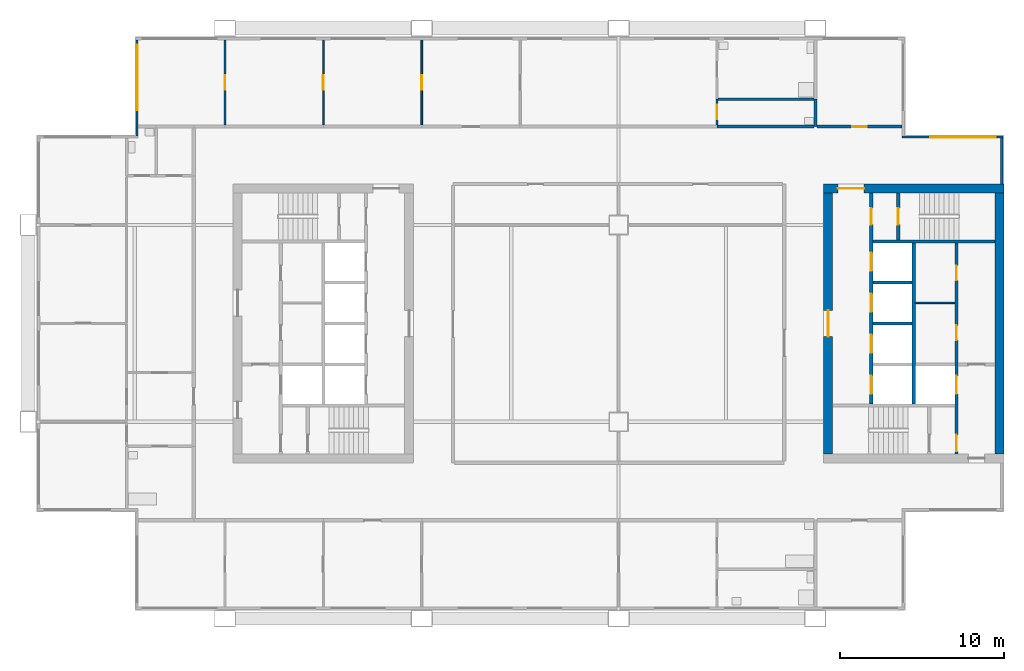
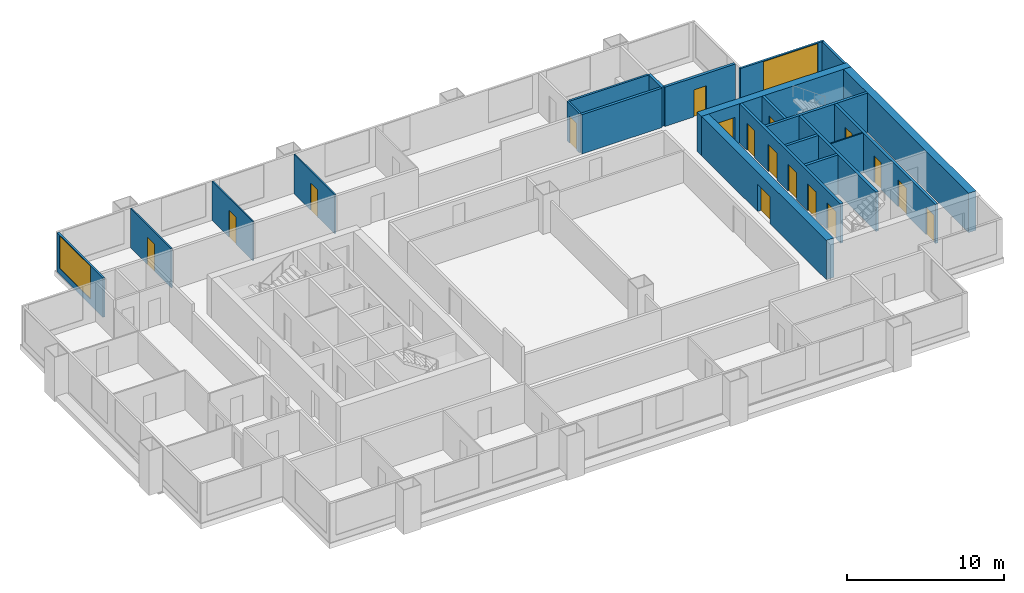
# One storey, part 5 of 8: 22 walls, 17 doors, 2 windows, 19 openings.
"""IFC4 building model written with IfcOpenShell, lengths in metres."""

from ifc_helpers import new_model, si_unit, direction, frame, frame_2d, origin, place, context, subcontext, project, spatial, rectangle, extrude, material, layer, layer_set, type_object, element, fill, save


model = new_model("IFC4")

# Units and contexts
model_context = context("Model", 3, precision=1e-05, world=origin(), true_north=direction((0.0, 1.0)))
body_context = subcontext(model_context, "Body", "Model", "MODEL_VIEW")
ifc_project = project(units=[si_unit("LENGTHUNIT", "METRE"), si_unit("AREAUNIT", "SQUARE_METRE"), si_unit("VOLUMEUNIT", "CUBIC_METRE"), si_unit("PLANEANGLEUNIT", "RADIAN"), si_unit("MASSUNIT", "GRAM", prefix="KILO")], contexts=[model_context])

# Site, building, storey
site_placement = place(None, origin())
site = spatial("IfcSite", under=ifc_project, at=site_placement, CompositionType="ELEMENT")
building_placement = place(site_placement, origin())
building = spatial("IfcBuilding", under=site, at=building_placement, Name="Kitamizu Gate Tower and Museum", CompositionType="ELEMENT")
storey_placement = place(building_placement, frame((0.0, 0.0, 172.050048828125)))
storey = spatial("IfcBuildingStorey", under=building, at=storey_placement, Name="L45", CompositionType="ELEMENT", Elevation=172.050048828125)

# Wall, opening, door
ifc_material_1 = material(Name="Concrete Fc42", Category="concrete")
ifc_layer_1 = layer(ifc_material_1, 0.550048828125)
ifc_layer_set_1 = layer_set([ifc_layer_1], Name="Concrete Fc42")
wall_type_1 = type_object("IfcWallType", Name="Core wall 550", PredefinedType="SHEAR", material=ifc_layer_set_1)
wall_1_placement = place(storey_placement, frame((59.5, 38.22509765625, 0.0), z_axis=(0.0, 0.0, 1.0), x_axis=(-1.0, 0.0, 0.0)))
wall_1 = element("IfcWall", 1, at=wall_1_placement, inside=storey, type_object=wall_type_1, Name="Core wall EN", PredefinedType="SHEAR", context=body_context, shape_type="SweptSolid", body=[
    extrude(rectangle(XDim=11.0, YDim=0.550048828125, at=frame_2d((5.5, 0.0))), origin(), (0.0, 0.0, 1.0), 3.050048828125),
])
opening_1_placement = place(wall_1_placement, frame((8.52490234375, 0.0, 0.0)))
opening_1 = element("IfcOpeningElement", 2, at=opening_1_placement, cuts=wall_1, Name="Opening L45-047", PredefinedType="OPENING", context=body_context, shape_type="SweptSolid", body=[
    extrude(rectangle(XDim=1.60009765625, YDim=2.10009765625, at=frame_2d((0.800048828125, 1.050048828125))), frame((0.0, 0.28515625, 0.0), z_axis=(0.0, -1.0, 0.0), x_axis=(1.0, 0.0, 0.0)), (0.0, 0.0, 1.0), 0.570068359375),
])
ifc_material_2 = material(Name="Timber door set", Category="wood")
door_type_1 = type_object("IfcDoorType", Name="Entrance door 1600", OperationType="DOUBLE_DOOR_SINGLE_SWING", PredefinedType="DOOR", material=ifc_material_2)
door_1_placement = place(opening_1_placement, origin())
door_1 = element("IfcDoor", 3, at=door_1_placement, inside=storey, type_object=door_type_1, Name="Lobby door L45-047", OperationType="DOUBLE_DOOR_SINGLE_SWING", OverallHeight=2.10009765625, OverallWidth=1.60009765625, PredefinedType="DOOR", context=body_context, shape_type="SweptSolid", body=[
    extrude(rectangle(XDim=1.60009765625, YDim=2.10009765625, at=frame_2d((0.800048828125, 1.050048828125))), frame((0.0, 0.02490234375, 0.0), z_axis=(0.0, -1.0, 0.0), x_axis=(1.0, 0.0, 0.0)), (0.0, 0.0, 1.0), 0.050048828125),
])
fill(opening_1, door_1)

# Wall
wall_2_placement = place(storey_placement, frame((59.22509765625, 22.050048828125, 0.0), z_axis=(0.0, 0.0, 1.0), x_axis=(0.0, 1.0, 0.0)))
element("IfcWall", 4, at=wall_2_placement, inside=storey, type_object=wall_type_1, Name="Core wall EOUT", PredefinedType="SHEAR", context=body_context, shape_type="SweptSolid", body=[
    extrude(rectangle(XDim=15.89990234375, YDim=0.550048828125, at=frame_2d((7.949951171875, 0.0))), origin(), (0.0, 0.0, 1.0), 3.050048828125),
])

# Wall, opening, door
wall_3_placement = place(storey_placement, frame((48.77490234375, 22.050048828125, 0.0), z_axis=(0.0, 0.0, 1.0), x_axis=(0.0, 1.0, 0.0)))
wall_3 = element("IfcWall", 5, at=wall_3_placement, inside=storey, type_object=wall_type_1, Name="Core wall EARC", PredefinedType="SHEAR", context=body_context, shape_type="SweptSolid", body=[
    extrude(rectangle(XDim=15.89990234375, YDim=0.550048828125, at=frame_2d((7.949951171875, 0.0))), origin(), (0.0, 0.0, 1.0), 3.050048828125),
])
opening_2_placement = place(wall_3_placement, frame((7.14990234375, 0.0, 0.0)))
opening_2 = element("IfcOpeningElement", 6, at=opening_2_placement, cuts=wall_3, Name="Opening L45-048", PredefinedType="OPENING", context=body_context, shape_type="SweptSolid", body=[
    extrude(rectangle(XDim=1.60009765625, YDim=2.10009765625, at=frame_2d((0.800048828125, 1.050048828125))), frame((0.0, 0.28515625, 0.0), z_axis=(0.0, -1.0, 0.0), x_axis=(1.0, 0.0, 0.0)), (0.0, 0.0, 1.0), 0.570068359375),
])
door_2_placement = place(opening_2_placement, origin())
door_2 = element("IfcDoor", 7, at=door_2_placement, inside=storey, type_object=door_type_1, Name="Lobby door L45-048", OperationType="DOUBLE_DOOR_SINGLE_SWING", OverallHeight=2.10009765625, OverallWidth=1.60009765625, PredefinedType="DOOR", context=body_context, shape_type="SweptSolid", body=[
    extrude(rectangle(XDim=1.60009765625, YDim=2.10009765625, at=frame_2d((0.800048828125, 1.050048828125))), frame((0.0, 0.02490234375, 0.0), z_axis=(0.0, -1.0, 0.0), x_axis=(1.0, 0.0, 0.0)), (0.0, 0.0, 1.0), 0.050048828125),
])
fill(opening_2, door_2)

# Wall
ifc_material_3 = material(Name="Gypsum board on galvanised stud")
ifc_layer_2 = layer(ifc_material_3, 0.10009765625)
ifc_layer_set_2 = layer_set([ifc_layer_2], Name="Gypsum board on galvanised stud")
wall_type_2 = type_object("IfcWallType", Name="Partition 100", PredefinedType="PARTITIONING", material=ifc_layer_set_2)
wall_4_placement = place(storey_placement, frame((56.5, 31.25, 0.0), z_axis=(0.0, 0.0, 1.0), x_axis=(-1.0, 0.0, 0.0)))
element("IfcWall", 8, at=wall_4_placement, inside=storey, type_object=wall_type_2, Name="Partition EPF1", PredefinedType="PARTITIONING", context=body_context, shape_type="SweptSolid", body=[
    extrude(rectangle(XDim=2.39990234375, YDim=0.10009765625, at=frame_2d((1.199951171875, 0.0))), origin(), (0.0, 0.0, 1.0), 3.050048828125),
])

# Wall, opening, door
ifc_material_4 = material(Name="Gypsum board on galvanised stud")
ifc_layer_3 = layer(ifc_material_4, 0.10009765625)
ifc_layer_set_3 = layer_set([ifc_layer_3], Name="Gypsum board on galvanised stud")
wall_type_3 = type_object("IfcWallType", Name="Partition 100 NOT RATED", PredefinedType="PARTITIONING", material=ifc_layer_set_3)
wall_5_placement = place(storey_placement, frame((12.0, 42.10009765625, 0.0), z_axis=(0.0, 0.0, 1.0), x_axis=(0.0, 1.0, 0.0)))
wall_5 = element("IfcWall", 9, at=wall_5_placement, inside=storey, type_object=wall_type_3, Name="Partition L45-018", PredefinedType="PARTITIONING", context=body_context, shape_type="SweptSolid", body=[
    extrude(rectangle(XDim=5.179931640625, YDim=0.10009765625, at=frame_2d((2.58984375, 0.0))), origin(), (0.0, 0.0, 1.0), 3.050048828125),
])
opening_3_placement = place(wall_5_placement, frame((2.139892578125, 0.0, 0.0)))
opening_3 = element("IfcOpeningElement", 10, at=opening_3_placement, cuts=wall_5, Name="Opening L45-014", PredefinedType="OPENING", context=body_context, shape_type="SweptSolid", body=[
    extrude(rectangle(XDim=0.89990234375, YDim=2.10009765625, at=frame_2d((0.449951171875, 1.050048828125))), frame((0.0, 0.06005859375, 0.0), z_axis=(0.0, -1.0, 0.0), x_axis=(1.0, 0.0, 0.0)), (0.0, 0.0, 1.0), 0.1201171875),
])
ifc_material_5 = material(Name="Timber door set", Category="wood")
door_type_2 = type_object("IfcDoorType", Name="Room door 900", OperationType="NOTDEFINED", PredefinedType="DOOR", material=ifc_material_5)
door_3_placement = place(opening_3_placement, origin())
door_3 = element("IfcDoor", 11, at=door_3_placement, inside=storey, type_object=door_type_2, Name="Door L45-014", OperationType="SINGLE_SWING_LEFT", OverallHeight=2.10009765625, OverallWidth=0.89990234375, PredefinedType="DOOR", context=body_context, shape_type="SweptSolid", body=[
    extrude(rectangle(XDim=0.89990234375, YDim=2.10009765625, at=frame_2d((0.449951171875, 1.050048828125))), frame((0.0, 0.02490234375, 0.0), z_axis=(0.0, -1.0, 0.0), x_axis=(1.0, 0.0, 0.0)), (0.0, 0.0, 1.0), 0.050048828125),
])
fill(opening_3, door_3)

wall_6_placement = place(storey_placement, frame((18.0, 42.10009765625, 0.0), z_axis=(0.0, 0.0, 1.0), x_axis=(0.0, 1.0, 0.0)))
wall_6 = element("IfcWall", 12, at=wall_6_placement, inside=storey, type_object=wall_type_3, Name="Partition L45-022", PredefinedType="PARTITIONING", context=body_context, shape_type="SweptSolid", body=[
    extrude(rectangle(XDim=5.179931640625, YDim=0.10009765625, at=frame_2d((2.58984375, 0.0))), origin(), (0.0, 0.0, 1.0), 3.050048828125),
])
opening_4_placement = place(wall_6_placement, frame((2.139892578125, 0.0, 0.0)))
opening_4 = element("IfcOpeningElement", 13, at=opening_4_placement, cuts=wall_6, Name="Opening L45-013", PredefinedType="OPENING", context=body_context, shape_type="SweptSolid", body=[
    extrude(rectangle(XDim=0.89990234375, YDim=2.10009765625, at=frame_2d((0.449951171875, 1.050048828125))), frame((0.0, 0.06005859375, 0.0), z_axis=(0.0, -1.0, 0.0), x_axis=(1.0, 0.0, 0.0)), (0.0, 0.0, 1.0), 0.1201171875),
])
door_4_placement = place(opening_4_placement, origin())
door_4 = element("IfcDoor", 14, at=door_4_placement, inside=storey, type_object=door_type_2, Name="Door L45-013", OperationType="SINGLE_SWING_RIGHT", OverallHeight=2.10009765625, OverallWidth=0.89990234375, PredefinedType="DOOR", context=body_context, shape_type="SweptSolid", body=[
    extrude(rectangle(XDim=0.89990234375, YDim=2.10009765625, at=frame_2d((0.449951171875, 1.050048828125))), frame((0.0, 0.02490234375, 0.0), z_axis=(0.0, -1.0, 0.0), x_axis=(1.0, 0.0, 0.0)), (0.0, 0.0, 1.0), 0.050048828125),
])
fill(opening_4, door_4)

wall_7_placement = place(storey_placement, frame((24.0, 42.10009765625, 0.0), z_axis=(0.0, 0.0, 1.0), x_axis=(0.0, 1.0, 0.0)))
wall_7 = element("IfcWall", 15, at=wall_7_placement, inside=storey, type_object=wall_type_3, Name="Partition L45-024", PredefinedType="PARTITIONING", context=body_context, shape_type="SweptSolid", body=[
    extrude(rectangle(XDim=5.179931640625, YDim=0.10009765625, at=frame_2d((2.58984375, 0.0))), origin(), (0.0, 0.0, 1.0), 3.050048828125),
])
opening_5_placement = place(wall_7_placement, frame((2.139892578125, 0.0, 0.0)))
opening_5 = element("IfcOpeningElement", 16, at=opening_5_placement, cuts=wall_7, Name="Opening L45-011", PredefinedType="OPENING", context=body_context, shape_type="SweptSolid", body=[
    extrude(rectangle(XDim=0.89990234375, YDim=2.10009765625, at=frame_2d((0.449951171875, 1.050048828125))), frame((0.0, 0.06005859375, 0.0), z_axis=(0.0, -1.0, 0.0), x_axis=(1.0, 0.0, 0.0)), (0.0, 0.0, 1.0), 0.1201171875),
])
door_5_placement = place(opening_5_placement, origin())
door_5 = element("IfcDoor", 17, at=door_5_placement, inside=storey, type_object=door_type_2, Name="Door L45-011", OperationType="SINGLE_SWING_RIGHT", OverallHeight=2.10009765625, OverallWidth=0.89990234375, PredefinedType="DOOR", context=body_context, shape_type="SweptSolid", body=[
    extrude(rectangle(XDim=0.89990234375, YDim=2.10009765625, at=frame_2d((0.449951171875, 1.050048828125))), frame((0.0, 0.02490234375, 0.0), z_axis=(0.0, -1.0, 0.0), x_axis=(1.0, 0.0, 0.0)), (0.0, 0.0, 1.0), 0.050048828125),
])
fill(opening_5, door_5)

ifc_material_6 = material(Name="Gypsum board on galvanised stud")
ifc_layer_4 = layer(ifc_material_6, 0.14990234375)
ifc_layer_set_4 = layer_set([ifc_layer_4], Name="Gypsum board on galvanised stud")
wall_type_4 = type_object("IfcWallType", Name="Partition 150", PredefinedType="PARTITIONING", material=ifc_layer_set_4)
wall_8_placement = place(storey_placement, frame((42.0, 42.10009765625, 0.0), z_axis=(0.0, 0.0, 1.0), x_axis=(0.0, 1.0, 0.0)))
wall_8 = element("IfcWall", 18, at=wall_8_placement, inside=storey, type_object=wall_type_4, Name="Partition L45-029", PredefinedType="PARTITIONING", context=body_context, shape_type="SweptSolid", body=[
    extrude(rectangle(XDim=1.579833984375, YDim=0.14990234375, at=frame_2d((0.7900390625, 0.0))), origin(), (0.0, 0.0, 1.0), 3.050048828125),
])
opening_6_placement = place(wall_8_placement, frame((0.340087890625, 0.0, 0.0)))
opening_6 = element("IfcOpeningElement", 19, at=opening_6_placement, cuts=wall_8, Name="Opening L45-012", PredefinedType="OPENING", context=body_context, shape_type="SweptSolid", body=[
    extrude(rectangle(XDim=0.89990234375, YDim=2.10009765625, at=frame_2d((0.449951171875, 1.050048828125))), frame((0.0, 0.0849609375, 0.0), z_axis=(0.0, -1.0, 0.0), x_axis=(1.0, 0.0, 0.0)), (0.0, 0.0, 1.0), 0.169921875),
])
ifc_material_7 = material(Name="Timber door set", Category="wood")
door_type_3 = type_object("IfcDoorType", Name="Bathroom door 900", OperationType="NOTDEFINED", PredefinedType="DOOR", material=ifc_material_7)
door_6_placement = place(opening_6_placement, frame((0.89990234375, 0.0, 0.0), x_axis=(-1.0, 0.0, 0.0)))
door_6 = element("IfcDoor", 20, at=door_6_placement, inside=storey, type_object=door_type_3, Name="Bathroom door L45-012", OperationType="SINGLE_SWING_RIGHT", OverallHeight=2.10009765625, OverallWidth=0.89990234375, PredefinedType="DOOR", context=body_context, shape_type="SweptSolid", body=[
    extrude(rectangle(XDim=0.89990234375, YDim=2.10009765625, at=frame_2d((0.449951171875, 1.050048828125))), frame((0.0, 0.02490234375, 0.0), z_axis=(0.0, -1.0, 0.0), x_axis=(1.0, 0.0, 0.0)), (0.0, 0.0, 1.0), 0.050048828125),
])
fill(opening_6, door_6)

# Walls
wall_9_placement = place(storey_placement, frame((42.074951171875, 43.679931640625, 0.0), z_axis=(0.0, 0.0, 1.0), x_axis=(1.0, 0.0, 0.0)))
element("IfcWall", 21, at=wall_9_placement, inside=storey, type_object=wall_type_4, Name="Partition L45-032", PredefinedType="PARTITIONING", context=body_context, shape_type="SweptSolid", body=[
    extrude(rectangle(XDim=5.824951171875, YDim=0.14990234375, at=frame_2d((2.91259765625, 0.0))), origin(), (0.0, 0.0, 1.0), 3.050048828125),
])
ifc_material_8 = material(Name="Gypsum board on galvanised stud")
ifc_layer_5 = layer(ifc_material_8, 0.199951171875)
ifc_layer_set_5 = layer_set([ifc_layer_5], Name="Gypsum board on galvanised stud")
wall_type_5 = type_object("IfcWallType", Name="Partition 200", PredefinedType="PARTITIONING", material=ifc_layer_set_5)
wall_10_placement = place(storey_placement, frame((48.0, 42.0, 0.0), z_axis=(0.0, 0.0, 1.0), x_axis=(0.0, 1.0, 0.0)))
element("IfcWall", 22, at=wall_10_placement, inside=storey, type_object=wall_type_5, Name="Partition L45-034", PredefinedType="PARTITIONING", context=body_context, shape_type="SweptSolid", body=[
    extrude(rectangle(XDim=1.679931640625, YDim=0.199951171875, at=frame_2d((0.83984375, 0.0))), origin(), (0.0, 0.0, 1.0), 3.050048828125),
])
wall_11_placement = place(storey_placement, frame((42.0, 42.0, 0.0), z_axis=(0.0, 0.0, 1.0), x_axis=(1.0, 0.0, 0.0)))
element("IfcWall", 23, at=wall_11_placement, inside=storey, type_object=wall_type_5, Name="Partition L45-035", PredefinedType="PARTITIONING", context=body_context, shape_type="SweptSolid", body=[
    extrude(rectangle(XDim=5.89990234375, YDim=0.199951171875, at=frame_2d((2.949951171875, 0.0))), origin(), (0.0, 0.0, 1.0), 3.050048828125),
])

# Wall, opening, door
wall_12_placement = place(storey_placement, frame((48.10009765625, 42.0, 0.0), z_axis=(0.0, 0.0, 1.0), x_axis=(1.0, 0.0, 0.0)))
wall_12 = element("IfcWall", 24, at=wall_12_placement, inside=storey, type_object=wall_type_5, Name="Partition L45-036", PredefinedType="PARTITIONING", context=body_context, shape_type="SweptSolid", body=[
    extrude(rectangle(XDim=5.179931640625, YDim=0.199951171875, at=frame_2d((2.58984375, 0.0))), origin(), (0.0, 0.0, 1.0), 3.050048828125),
])
opening_7_placement = place(wall_12_placement, frame((2.139892578125, 0.0, 0.0)))
opening_7 = element("IfcOpeningElement", 25, at=opening_7_placement, cuts=wall_12, Name="Opening L45-025", PredefinedType="OPENING", context=body_context, shape_type="SweptSolid", body=[
    extrude(rectangle(XDim=0.89990234375, YDim=2.10009765625, at=frame_2d((0.449951171875, 1.050048828125))), frame((0.0, 0.10986328125, 0.0), z_axis=(0.0, -1.0, 0.0), x_axis=(1.0, 0.0, 0.0)), (0.0, 0.0, 1.0), 0.219970703125),
])
door_7_placement = place(opening_7_placement, origin())
door_7 = element("IfcDoor", 26, at=door_7_placement, inside=storey, type_object=door_type_2, Name="Door L45-025", OperationType="SINGLE_SWING_LEFT", OverallHeight=2.10009765625, OverallWidth=0.89990234375, PredefinedType="DOOR", context=body_context, shape_type="SweptSolid", body=[
    extrude(rectangle(XDim=0.89990234375, YDim=2.10009765625, at=frame_2d((0.449951171875, 1.050048828125))), frame((0.0, 0.02490234375, 0.0), z_axis=(0.0, -1.0, 0.0), x_axis=(1.0, 0.0, 0.0)), (0.0, 0.0, 1.0), 0.050048828125),
])
fill(opening_7, door_7)

# Wall, openings, doors
ifc_material_9 = material(Name="Concrete Fc42", Category="concrete")
ifc_layer_6 = layer(ifc_material_9, 0.199951171875)
ifc_layer_set_6 = layer_set([ifc_layer_6], Name="Concrete Fc42")
wall_type_6 = type_object("IfcWallType", Name="Shaft wall 200", PredefinedType="SOLIDWALL", material=ifc_layer_set_6)
wall_13_placement = place(storey_placement, frame((56.60009765625, 22.050048828125, 0.0), z_axis=(0.0, 0.0, 1.0), x_axis=(0.0, 1.0, 0.0)))
wall_13 = element("IfcWall", 27, at=wall_13_placement, inside=storey, type_object=wall_type_6, Name="Shaft wall EWEST", PredefinedType="SOLIDWALL", context=body_context, shape_type="SweptSolid", body=[
    extrude(rectangle(XDim=12.849853515625, YDim=0.199951171875, at=frame_2d((6.4248046875, 0.0))), origin(), (0.0, 0.0, 1.0), 3.050048828125),
])
opening_8_placement = place(wall_13_placement, frame((3.64990234375, 0.0, 0.0)))
opening_8 = element("IfcOpeningElement", 28, at=opening_8_placement, cuts=wall_13, Name="Opening LD", PredefinedType="OPENING", context=body_context, shape_type="SweptSolid", body=[
    extrude(rectangle(XDim=1.10009765625, YDim=2.10009765625, at=frame_2d((0.550048828125, 1.050048828125))), frame((0.0, 0.10986328125, 0.0), z_axis=(0.0, -1.0, 0.0), x_axis=(1.0, 0.0, 0.0)), (0.0, 0.0, 1.0), 0.219970703125),
])
opening_9_placement = place(wall_13_placement, frame((0.14990234375, 0.0, 0.0)))
opening_9 = element("IfcOpeningElement", 29, at=opening_9_placement, cuts=wall_13, Name="Opening L45-042", PredefinedType="OPENING", context=body_context, shape_type="SweptSolid", body=[
    extrude(rectangle(XDim=1.0, YDim=2.10009765625, at=frame_2d((0.5, 1.050048828125))), frame((0.0, 0.10986328125, 0.0), z_axis=(0.0, -1.0, 0.0), x_axis=(1.0, 0.0, 0.0)), (0.0, 0.0, 1.0), 0.219970703125),
])
opening_10_placement = place(wall_13_placement, frame((6.925048828125, 0.0, 0.0)))
opening_10 = element("IfcOpeningElement", 30, at=opening_10_placement, cuts=wall_13, Name="Opening L45-049", PredefinedType="OPENING", context=body_context, shape_type="SweptSolid", body=[
    extrude(rectangle(XDim=0.89990234375, YDim=2.10009765625, at=frame_2d((0.449951171875, 1.050048828125))), frame((0.0, 0.10986328125, 0.0), z_axis=(0.0, -1.0, 0.0), x_axis=(1.0, 0.0, 0.0)), (0.0, 0.0, 1.0), 0.219970703125),
])
opening_11_placement = place(wall_13_placement, frame((10.574951171875, 0.0, 0.0)))
opening_11 = element("IfcOpeningElement", 31, at=opening_11_placement, cuts=wall_13, Name="Opening L45-050", PredefinedType="OPENING", context=body_context, shape_type="SweptSolid", body=[
    extrude(rectangle(XDim=0.89990234375, YDim=2.10009765625, at=frame_2d((0.449951171875, 1.050048828125))), frame((0.0, 0.10986328125, 0.0), z_axis=(0.0, -1.0, 0.0), x_axis=(1.0, 0.0, 0.0)), (0.0, 0.0, 1.0), 0.219970703125),
])
ifc_material_10 = material(Name="Hollow metal door set")
door_type_4 = type_object("IfcDoorType", Name="Fire door 1000", OperationType="NOTDEFINED", PredefinedType="DOOR", material=ifc_material_10)
door_8_placement = place(opening_9_placement, origin())
door_8 = element("IfcDoor", 32, at=door_8_placement, inside=storey, type_object=door_type_4, Name="Stair lobby door L45-042", OperationType="SINGLE_SWING_RIGHT", OverallHeight=2.10009765625, OverallWidth=1.0, PredefinedType="DOOR", context=body_context, shape_type="SweptSolid", body=[
    extrude(rectangle(XDim=1.0, YDim=2.10009765625, at=frame_2d((0.5, 1.050048828125))), frame((0.0, 0.02490234375, 0.0), z_axis=(0.0, -1.0, 0.0), x_axis=(1.0, 0.0, 0.0)), (0.0, 0.0, 1.0), 0.050048828125),
])
fill(opening_9, door_8)
ifc_material_11 = material(Name="Hollow metal door set")
door_type_5 = type_object("IfcDoorType", Name="Landing door 1100", OperationType="SLIDING_TO_LEFT", PredefinedType="DOOR", material=ifc_material_11)
door_9_placement = place(opening_8_placement, origin())
door_9 = element("IfcDoor", 33, at=door_9_placement, inside=storey, type_object=door_type_5, Name="Landing door EFF1", OperationType="SLIDING_TO_LEFT", OverallHeight=2.10009765625, OverallWidth=1.10009765625, PredefinedType="DOOR", context=body_context, shape_type="SweptSolid", body=[
    extrude(rectangle(XDim=1.10009765625, YDim=2.10009765625, at=frame_2d((0.550048828125, 1.050048828125))), frame((0.0, 0.02490234375, 0.0), z_axis=(0.0, -1.0, 0.0), x_axis=(1.0, 0.0, 0.0)), (0.0, 0.0, 1.0), 0.050048828125),
])
fill(opening_8, door_9)
ifc_material_12 = material(Name="Timber door set", Category="wood")
door_type_6 = type_object("IfcDoorType", Name="Service door 900", OperationType="NOTDEFINED", PredefinedType="DOOR", material=ifc_material_12)
door_10_placement = place(opening_10_placement, origin())
door_10 = element("IfcDoor", 34, at=door_10_placement, inside=storey, type_object=door_type_6, Name="Service door L45-049", OperationType="SINGLE_SWING_RIGHT", OverallHeight=2.10009765625, OverallWidth=0.89990234375, PredefinedType="DOOR", context=body_context, shape_type="SweptSolid", body=[
    extrude(rectangle(XDim=0.89990234375, YDim=2.10009765625, at=frame_2d((0.449951171875, 1.050048828125))), frame((0.0, 0.02490234375, 0.0), z_axis=(0.0, -1.0, 0.0), x_axis=(1.0, 0.0, 0.0)), (0.0, 0.0, 1.0), 0.050048828125),
])
fill(opening_10, door_10)
door_11_placement = place(opening_11_placement, origin())
door_11 = element("IfcDoor", 35, at=door_11_placement, inside=storey, type_object=door_type_6, Name="Service door L45-050", OperationType="SINGLE_SWING_LEFT", OverallHeight=2.10009765625, OverallWidth=0.89990234375, PredefinedType="DOOR", context=body_context, shape_type="SweptSolid", body=[
    extrude(rectangle(XDim=0.89990234375, YDim=2.10009765625, at=frame_2d((0.449951171875, 1.050048828125))), frame((0.0, 0.02490234375, 0.0), z_axis=(0.0, -1.0, 0.0), x_axis=(1.0, 0.0, 0.0)), (0.0, 0.0, 1.0), 0.050048828125),
])
fill(opening_11, door_11)

wall_14_placement = place(storey_placement, frame((51.39990234375, 25.10009765625, 0.0), z_axis=(0.0, 0.0, 1.0), x_axis=(0.0, 1.0, 0.0)))
wall_14 = element("IfcWall", 36, at=wall_14_placement, inside=storey, type_object=wall_type_6, Name="Shaft wall EEAST", PredefinedType="SOLIDWALL", context=body_context, shape_type="SweptSolid", body=[
    extrude(rectangle(XDim=12.849853515625, YDim=0.199951171875, at=frame_2d((6.4248046875, 0.0))), origin(), (0.0, 0.0, 1.0), 3.050048828125),
])
opening_12_placement = place(wall_14_placement, frame((0.60009765625, 0.0, 0.0)))
opening_12 = element("IfcOpeningElement", 37, at=opening_12_placement, cuts=wall_14, Name="Opening LD", PredefinedType="OPENING", context=body_context, shape_type="SweptSolid", body=[
    extrude(rectangle(XDim=1.10009765625, YDim=2.10009765625, at=frame_2d((0.550048828125, 1.050048828125))), frame((0.0, 0.10986328125, 0.0), z_axis=(0.0, -1.0, 0.0), x_axis=(1.0, 0.0, 0.0)), (0.0, 0.0, 1.0), 0.219970703125),
])
opening_13_placement = place(wall_14_placement, frame((3.10009765625, 0.0, 0.0)))
opening_13 = element("IfcOpeningElement", 38, at=opening_13_placement, cuts=wall_14, Name="Opening LD", PredefinedType="OPENING", context=body_context, shape_type="SweptSolid", body=[
    extrude(rectangle(XDim=1.10009765625, YDim=2.10009765625, at=frame_2d((0.550048828125, 1.050048828125))), frame((0.0, 0.10986328125, 0.0), z_axis=(0.0, -1.0, 0.0), x_axis=(1.0, 0.0, 0.0)), (0.0, 0.0, 1.0), 0.219970703125),
])
opening_14_placement = place(wall_14_placement, frame((5.60009765625, 0.0, 0.0)))
opening_14 = element("IfcOpeningElement", 39, at=opening_14_placement, cuts=wall_14, Name="Opening LD", PredefinedType="OPENING", context=body_context, shape_type="SweptSolid", body=[
    extrude(rectangle(XDim=1.10009765625, YDim=2.10009765625, at=frame_2d((0.550048828125, 1.050048828125))), frame((0.0, 0.10986328125, 0.0), z_axis=(0.0, -1.0, 0.0), x_axis=(1.0, 0.0, 0.0)), (0.0, 0.0, 1.0), 0.219970703125),
])
opening_15_placement = place(wall_14_placement, frame((8.10009765625, 0.0, 0.0)))
opening_15 = element("IfcOpeningElement", 40, at=opening_15_placement, cuts=wall_14, Name="Opening LD", PredefinedType="OPENING", context=body_context, shape_type="SweptSolid", body=[
    extrude(rectangle(XDim=1.10009765625, YDim=2.10009765625, at=frame_2d((0.550048828125, 1.050048828125))), frame((0.0, 0.10986328125, 0.0), z_axis=(0.0, -1.0, 0.0), x_axis=(1.0, 0.0, 0.0)), (0.0, 0.0, 1.0), 0.219970703125),
])
opening_16_placement = place(wall_14_placement, frame((10.925048828125, 0.0, 0.0)))
opening_16 = element("IfcOpeningElement", 41, at=opening_16_placement, cuts=wall_14, Name="Opening L45-043", PredefinedType="OPENING", context=body_context, shape_type="SweptSolid", body=[
    extrude(rectangle(XDim=1.0, YDim=2.10009765625, at=frame_2d((0.5, 1.050048828125))), frame((0.0, 0.10986328125, 0.0), z_axis=(0.0, -1.0, 0.0), x_axis=(1.0, 0.0, 0.0)), (0.0, 0.0, 1.0), 0.219970703125),
])
door_12_placement = place(opening_16_placement, frame((1.0, 0.0, 0.0), x_axis=(-1.0, 0.0, 0.0)))
door_12 = element("IfcDoor", 42, at=door_12_placement, inside=storey, type_object=door_type_4, Name="Stair lobby door L45-043", OperationType="SINGLE_SWING_LEFT", OverallHeight=2.10009765625, OverallWidth=1.0, PredefinedType="DOOR", context=body_context, shape_type="SweptSolid", body=[
    extrude(rectangle(XDim=1.0, YDim=2.10009765625, at=frame_2d((0.5, 1.050048828125))), frame((0.0, 0.02490234375, 0.0), z_axis=(0.0, -1.0, 0.0), x_axis=(1.0, 0.0, 0.0)), (0.0, 0.0, 1.0), 0.050048828125),
])
fill(opening_16, door_12)
door_13_placement = place(opening_12_placement, origin())
door_13 = element("IfcDoor", 43, at=door_13_placement, inside=storey, type_object=door_type_5, Name="Landing door ESV1", OperationType="SLIDING_TO_LEFT", OverallHeight=2.10009765625, OverallWidth=1.10009765625, PredefinedType="DOOR", context=body_context, shape_type="SweptSolid", body=[
    extrude(rectangle(XDim=1.10009765625, YDim=2.10009765625, at=frame_2d((0.550048828125, 1.050048828125))), frame((0.0, 0.02490234375, 0.0), z_axis=(0.0, -1.0, 0.0), x_axis=(1.0, 0.0, 0.0)), (0.0, 0.0, 1.0), 0.050048828125),
])
fill(opening_12, door_13)
door_14_placement = place(opening_13_placement, origin())
door_14 = element("IfcDoor", 44, at=door_14_placement, inside=storey, type_object=door_type_5, Name="Landing door EH1", OperationType="SLIDING_TO_LEFT", OverallHeight=2.10009765625, OverallWidth=1.10009765625, PredefinedType="DOOR", context=body_context, shape_type="SweptSolid", body=[
    extrude(rectangle(XDim=1.10009765625, YDim=2.10009765625, at=frame_2d((0.550048828125, 1.050048828125))), frame((0.0, 0.02490234375, 0.0), z_axis=(0.0, -1.0, 0.0), x_axis=(1.0, 0.0, 0.0)), (0.0, 0.0, 1.0), 0.050048828125),
])
fill(opening_13, door_14)
door_15_placement = place(opening_14_placement, origin())
door_15 = element("IfcDoor", 45, at=door_15_placement, inside=storey, type_object=door_type_5, Name="Landing door EH2", OperationType="SLIDING_TO_LEFT", OverallHeight=2.10009765625, OverallWidth=1.10009765625, PredefinedType="DOOR", context=body_context, shape_type="SweptSolid", body=[
    extrude(rectangle(XDim=1.10009765625, YDim=2.10009765625, at=frame_2d((0.550048828125, 1.050048828125))), frame((0.0, 0.02490234375, 0.0), z_axis=(0.0, -1.0, 0.0), x_axis=(1.0, 0.0, 0.0)), (0.0, 0.0, 1.0), 0.050048828125),
])
fill(opening_14, door_15)
door_16_placement = place(opening_15_placement, origin())
door_16 = element("IfcDoor", 46, at=door_16_placement, inside=storey, type_object=door_type_5, Name="Landing door EH3", OperationType="SLIDING_TO_LEFT", OverallHeight=2.10009765625, OverallWidth=1.10009765625, PredefinedType="DOOR", context=body_context, shape_type="SweptSolid", body=[
    extrude(rectangle(XDim=1.10009765625, YDim=2.10009765625, at=frame_2d((0.550048828125, 1.050048828125))), frame((0.0, 0.02490234375, 0.0), z_axis=(0.0, -1.0, 0.0), x_axis=(1.0, 0.0, 0.0)), (0.0, 0.0, 1.0), 0.050048828125),
])
fill(opening_15, door_16)

# Walls
wall_15_placement = place(storey_placement, frame((54.0, 25.10009765625, 0.0), z_axis=(0.0, 0.0, 1.0), x_axis=(0.0, 1.0, 0.0)))
element("IfcWall", 47, at=wall_15_placement, inside=storey, type_object=wall_type_6, Name="Shaft wall EMID", PredefinedType="SOLIDWALL", context=body_context, shape_type="SweptSolid", body=[
    extrude(rectangle(XDim=9.7998046875, YDim=0.199951171875, at=frame_2d((4.89990234375, 0.0))), origin(), (0.0, 0.0, 1.0), 3.050048828125),
])
wall_16_placement = place(storey_placement, frame((58.949951171875, 35.0, 0.0), z_axis=(0.0, 0.0, 1.0), x_axis=(-1.0, 0.0, 0.0)))
element("IfcWall", 48, at=wall_16_placement, inside=storey, type_object=wall_type_6, Name="Shaft wall ENB", PredefinedType="SOLIDWALL", context=body_context, shape_type="SweptSolid", body=[
    extrude(rectangle(XDim=7.449951171875, YDim=0.199951171875, at=frame_2d((3.72509765625, 0.0))), origin(), (0.0, 0.0, 1.0), 3.050048828125),
])

# Wall, opening, door
wall_17_placement = place(storey_placement, frame((53.050048828125, 35.10009765625, 0.0), z_axis=(0.0, 0.0, 1.0), x_axis=(0.0, 1.0, 0.0)))
wall_17 = element("IfcWall", 49, at=wall_17_placement, inside=storey, type_object=wall_type_6, Name="Shaft wall ENZ", PredefinedType="SOLIDWALL", context=body_context, shape_type="SweptSolid", body=[
    extrude(rectangle(XDim=2.849853515625, YDim=0.199951171875, at=frame_2d((1.4248046875, 0.0))), origin(), (0.0, 0.0, 1.0), 3.050048828125),
])
opening_17_placement = place(wall_17_placement, frame((0.925048828125, 0.0, 0.0)))
opening_17 = element("IfcOpeningElement", 50, at=opening_17_placement, cuts=wall_17, Name="Opening L45-044", PredefinedType="OPENING", context=body_context, shape_type="SweptSolid", body=[
    extrude(rectangle(XDim=1.0, YDim=2.10009765625, at=frame_2d((0.5, 1.050048828125))), frame((0.0, 0.10986328125, 0.0), z_axis=(0.0, -1.0, 0.0), x_axis=(1.0, 0.0, 0.0)), (0.0, 0.0, 1.0), 0.219970703125),
])
door_17_placement = place(opening_17_placement, frame((1.0, 0.0, 0.0), x_axis=(-1.0, 0.0, 0.0)))
door_17 = element("IfcDoor", 51, at=door_17_placement, inside=storey, type_object=door_type_4, Name="Stair door L45-044", OperationType="SINGLE_SWING_RIGHT", OverallHeight=2.10009765625, OverallWidth=1.0, PredefinedType="DOOR", context=body_context, shape_type="SweptSolid", body=[
    extrude(rectangle(XDim=1.0, YDim=2.10009765625, at=frame_2d((0.5, 1.050048828125))), frame((0.0, 0.02490234375, 0.0), z_axis=(0.0, -1.0, 0.0), x_axis=(1.0, 0.0, 0.0)), (0.0, 0.0, 1.0), 0.050048828125),
])
fill(opening_17, door_17)

# Walls
for number, where, z_axis, x_axis, name in (
    (52, (53.89990234375, 30.0, 0.0), (0.0, 0.0, 1.0), (-1.0, 0.0, 0.0), "Shaft wall EDVE1"),
    (53, (53.89990234375, 32.5, 0.0), (0.0, 0.0, 1.0), (-1.0, 0.0, 0.0), "Shaft wall EDVE2"),
):
    element("IfcWall", number, at=place(storey_placement, frame(where, z_axis=z_axis, x_axis=x_axis)), inside=storey, type_object=wall_type_6, Name=name, PredefinedType="SOLIDWALL", context=body_context, shape_type="SweptSolid", body=[
        extrude(rectangle(XDim=2.39990234375, YDim=0.199951171875, at=frame_2d((1.199951171875, 0.0))), origin(), (0.0, 0.0, 1.0), 3.050048828125),
    ])
ifc_material_13 = material(Name="Bronze anodised aluminium frame with insulated spandrel and tinted glass", Category="aluminium")
ifc_layer_7 = layer(ifc_material_13, 0.14990234375)
ifc_layer_set_7 = layer_set([ifc_layer_7], Name="Bronze anodised aluminium frame with insulated spandrel and tinted glass")
wall_type_7 = type_object("IfcWallType", Name="WINDOW WALL 150 BRONZE FRAME EI 30", PredefinedType="ELEMENTEDWALL", material=ifc_layer_set_7)
wall_18_placement = place(storey_placement, frame((59.364990234375, 38.5, 0.0), z_axis=(0.0, 0.0, 1.0), x_axis=(0.0, 1.0, 0.0)))
element("IfcWall", 54, at=wall_18_placement, inside=storey, type_object=wall_type_7, Name="Window wall east L45", PredefinedType="ELEMENTEDWALL", context=body_context, shape_type="SweptSolid", body=[
    extrude(rectangle(XDim=2.7900390625, YDim=0.14990234375, at=frame_2d((1.39501953125, 0.0))), origin(), (0.0, 0.0, 1.0), 3.050048828125),
])

# Wall, opening, window
wall_19_placement = place(storey_placement, frame((53.2900390625, 41.364990234375, 0.0), z_axis=(0.0, 0.0, 1.0), x_axis=(1.0, 0.0, 0.0)))
wall_19 = element("IfcWall", 55, at=wall_19_placement, inside=storey, type_object=wall_type_7, Name="Window wall north L45", PredefinedType="ELEMENTEDWALL", context=body_context, shape_type="SweptSolid", body=[
    extrude(rectangle(XDim=6.14990234375, YDim=0.14990234375, at=frame_2d((3.074951171875, 0.0))), origin(), (0.0, 0.0, 1.0), 3.050048828125),
])
opening_18_placement = place(wall_19_placement, frame((1.7099609375, 0.0, 0.449951171875)))
opening_18 = element("IfcOpeningElement", 56, at=opening_18_placement, cuts=wall_19, Name="Opening W16", PredefinedType="OPENING", context=body_context, shape_type="SweptSolid", body=[
    extrude(rectangle(XDim=4.0, YDim=2.550048828125, at=frame_2d((2.0, 1.27490234375))), frame((0.0, 0.0849609375, 0.0), z_axis=(0.0, -1.0, 0.0), x_axis=(1.0, 0.0, 0.0)), (0.0, 0.0, 1.0), 0.169921875),
])
ifc_material_14 = material(Name="Bronze anodised aluminium frame, tinted triple glazing", Category="aluminium")
window_type = type_object("IfcWindowType", Name="WINDOW 4000 x 2550 SILL 450", PartitioningType="SINGLE_PANEL", PredefinedType="WINDOW", material=ifc_material_14)
window_1_placement = place(opening_18_placement, origin())
window_1 = element("IfcWindow", 57, at=window_1_placement, inside=storey, type_object=window_type, Name="Window W16 L45", OverallHeight=2.550048828125, OverallWidth=4.0, PartitioningType="SINGLE_PANEL", PredefinedType="WINDOW", context=body_context, shape_type="SweptSolid", body=[
    extrude(rectangle(XDim=4.0, YDim=2.550048828125, at=frame_2d((2.0, 1.27490234375))), frame((0.0, 0.030029296875, 0.0), z_axis=(0.0, -1.0, 0.0), x_axis=(1.0, 0.0, 0.0)), (0.0, 0.0, 1.0), 0.06005859375),
])
fill(opening_18, window_1)

wall_20_placement = place(storey_placement, frame((6.635009765625, 41.43994140625, 0.0), z_axis=(0.0, 0.0, 1.0), x_axis=(0.0, 1.0, 0.0)))
wall_20 = element("IfcWall", 58, at=wall_20_placement, inside=storey, type_object=wall_type_7, Name="Window wall west L45", PredefinedType="ELEMENTEDWALL", context=body_context, shape_type="SweptSolid", body=[
    extrude(rectangle(XDim=5.85009765625, YDim=0.14990234375, at=frame_2d((2.925048828125, 0.0))), origin(), (0.0, 0.0, 1.0), 3.050048828125),
])
opening_19_placement = place(wall_20_placement, frame((1.56005859375, 0.0, 0.449951171875)))
opening_19 = element("IfcOpeningElement", 59, at=opening_19_placement, cuts=wall_20, Name="Opening W16", PredefinedType="OPENING", context=body_context, shape_type="SweptSolid", body=[
    extrude(rectangle(XDim=4.0, YDim=2.550048828125, at=frame_2d((2.0, 1.27490234375))), frame((0.0, 0.0849609375, 0.0), z_axis=(0.0, -1.0, 0.0), x_axis=(1.0, 0.0, 0.0)), (0.0, 0.0, 1.0), 0.169921875),
])
window_2_placement = place(opening_19_placement, origin())
window_2 = element("IfcWindow", 60, at=window_2_placement, inside=storey, type_object=window_type, Name="Window W16 L45", OverallHeight=2.550048828125, OverallWidth=4.0, PartitioningType="SINGLE_PANEL", PredefinedType="WINDOW", context=body_context, shape_type="SweptSolid", body=[
    extrude(rectangle(XDim=4.0, YDim=2.550048828125, at=frame_2d((2.0, 1.27490234375))), frame((0.0, 0.030029296875, 0.0), z_axis=(0.0, -1.0, 0.0), x_axis=(1.0, 0.0, 0.0)), (0.0, 0.0, 1.0), 0.06005859375),
])
fill(opening_19, window_2)

save(model, "model.ifc")
